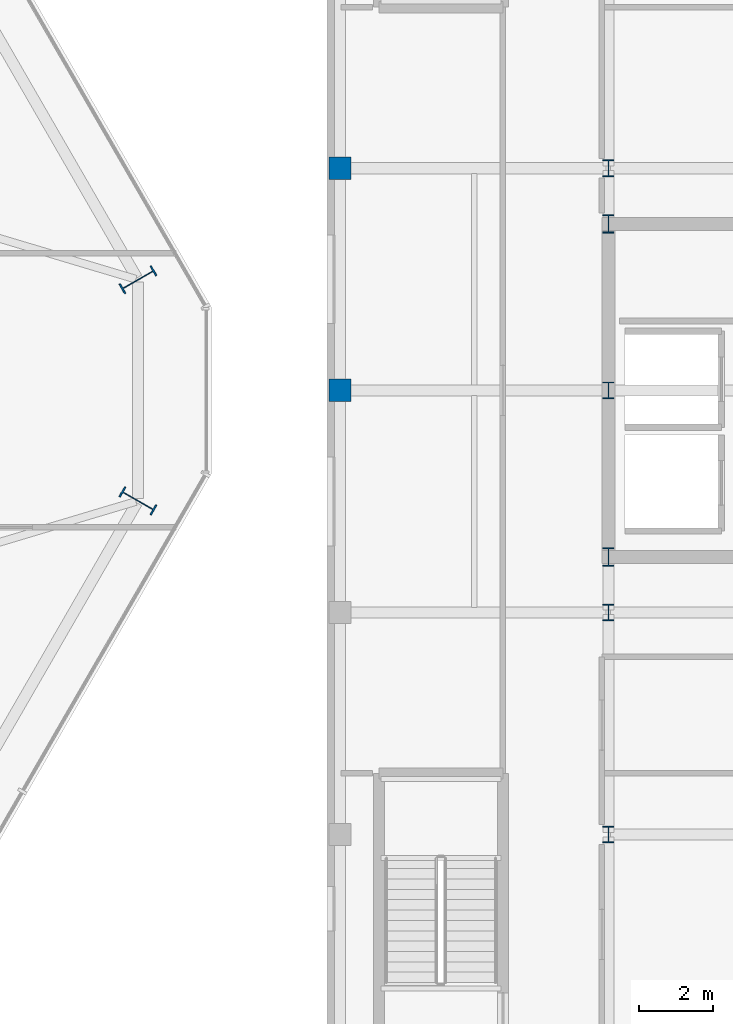
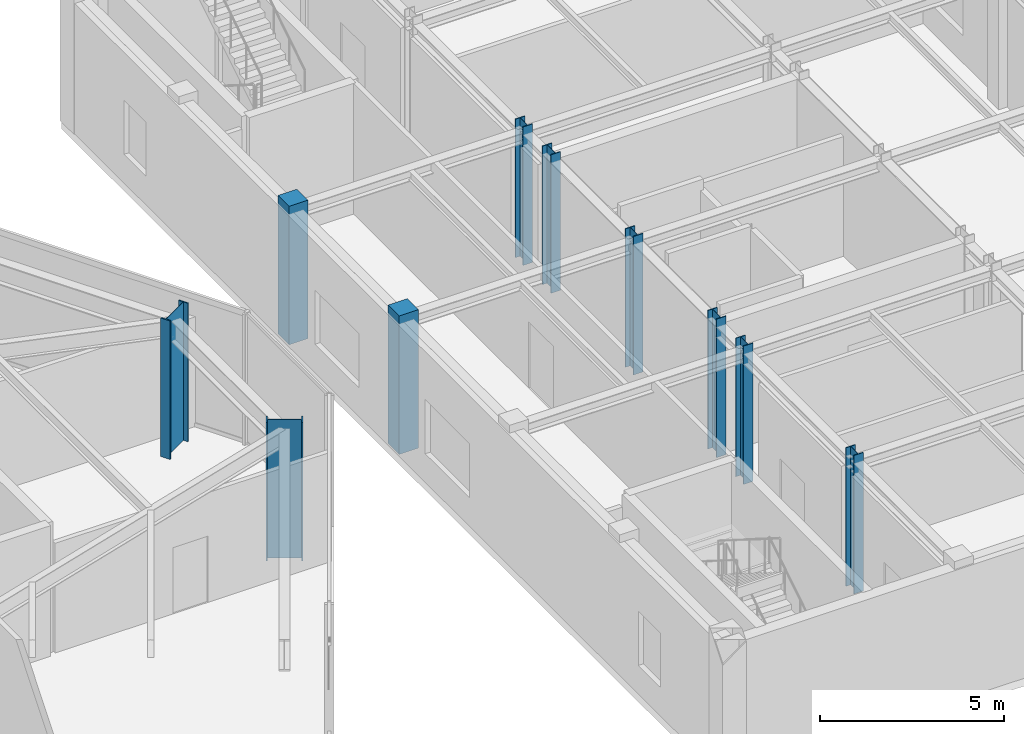
# One storey, part 2 of 22: 10 columns.
"""IFC4 building model written with IfcOpenShell, lengths in metres."""

from ifc_helpers import new_model, si_unit, direction, frame, origin, origin_2d, place, context, subcontext, project, spatial, rectangle, i_section, extrude, material, material_profile, profile_set, type_object, element, save


model = new_model("IFC4")

# Units and contexts
model_context = context("Model", 3, precision=1e-05, world=origin(), true_north=direction((0.0, 1.0)))
body_context = subcontext(model_context, "Body", "Model", "MODEL_VIEW")
ifc_project = project(units=[si_unit("LENGTHUNIT", "METRE"), si_unit("AREAUNIT", "SQUARE_METRE"), si_unit("VOLUMEUNIT", "CUBIC_METRE"), si_unit("PLANEANGLEUNIT", "RADIAN"), si_unit("MASSUNIT", "GRAM", prefix="KILO")], contexts=[model_context])

# Site, building, storey
site_placement = place(None, origin())
site = spatial("IfcSite", under=ifc_project, at=site_placement, CompositionType="ELEMENT")
building_placement = place(site_placement, origin())
building = spatial("IfcBuilding", under=site, at=building_placement, Name="Kranzbogen Civic Tower", CompositionType="ELEMENT")
storey_placement = place(building_placement, frame((0.0, 0.0, 5.199951171875)))
storey = spatial("IfcBuildingStorey", under=building, at=storey_placement, Name="L01", CompositionType="ELEMENT", Elevation=5.199951171875)

# Columns
ifc_material_1 = material(Name="Steel S355", Category="steel")
ifc_material_profile_1 = material_profile(ifc_material_1, i_section(OverallWidth=0.300048828125, OverallDepth=0.449951171875, WebThickness=0.013916015625, FlangeThickness=0.02587890625, at=origin_2d()), Name="HEB 450")
ifc_profile_set_1 = profile_set([ifc_material_profile_1], Name="Steel S355")
column_type_1 = type_object("IfcColumnType", Name="Structural Column HEB 450", PredefinedType="COLUMN", material=ifc_profile_set_1)
for number, where, z_axis, x_axis, name in (
    (1, (59.60009765625, 13.0, 0.0), (0.0, 0.0, 1.0), (1.0, 0.0, 0.0), "L01 Health Centre column 11/C"),
    (2, (59.60009765625, 19.0, 0.0), (0.0, 0.0, 1.0), (1.0, 0.0, 0.0), "L01 Health Centre column 11/D"),
    (3, (59.60009765625, 25.0, 0.0), (0.0, 0.0, 1.0), (1.0, 0.0, 0.0), "L01 Health Centre column 11/E"),
    (4, (59.60009765625, 31.0, 0.0), (0.0, 0.0, 1.0), (1.0, 0.0, 0.0), "L01 Health Centre column 11/F"),
):
    element("IfcColumn", number, at=place(storey_placement, frame(where, z_axis=z_axis, x_axis=x_axis)), inside=storey, type_object=column_type_1, Name=name, PredefinedType="COLUMN", context=body_context, shape_type="SweptSolid", body=[
        extrude(i_section(OverallWidth=0.300048828125, OverallDepth=0.449951171875, WebThickness=0.013916015625, FlangeThickness=0.02587890625, at=origin_2d()), origin(), (0.0, 0.0, 1.0), 4.60009765625),
    ])
ifc_material_profile_2 = material_profile(ifc_material_1, i_section(OverallWidth=0.300048828125, OverallDepth=0.5, WebThickness=0.014404296875, FlangeThickness=0.028076171875, at=origin_2d()), Name="HEB 500")
ifc_profile_set_2 = profile_set([ifc_material_profile_2], Name="Steel S355")
column_type_2 = type_object("IfcColumnType", Name="Structural Column HEB 500", PredefinedType="COLUMN", material=ifc_profile_set_2)
for number, where, z_axis, x_axis, name in (
    (5, (59.60009765625, 20.5, 0.0), (0.0, 0.0, 1.0), (1.0, 0.0, 0.0), "L01 Health Centre core corner column 1"),
    (6, (59.60009765625, 29.5, 0.0), (0.0, 0.0, 1.0), (1.0, 0.0, 0.0), "L01 Health Centre core corner column 4"),
):
    element("IfcColumn", number, at=place(storey_placement, frame(where, z_axis=z_axis, x_axis=x_axis)), inside=storey, type_object=column_type_2, Name=name, PredefinedType="COLUMN", context=body_context, shape_type="SweptSolid", body=[
        extrude(i_section(OverallWidth=0.300048828125, OverallDepth=0.5, WebThickness=0.014404296875, FlangeThickness=0.028076171875, at=origin_2d()), origin(), (0.0, 0.0, 1.0), 4.60009765625),
    ])
ifc_material_2 = material(Name="Steel S460", Category="steel")
ifc_material_profile_3 = material_profile(ifc_material_2, i_section(OverallWidth=0.302001953125, OverallDepth=1.008056640625, WebThickness=0.02099609375, FlangeThickness=0.0400390625, at=origin_2d()), Name="HEM 1000")
ifc_profile_set_3 = profile_set([ifc_material_profile_3], Name="Steel S460")
column_type_3 = type_object("IfcColumnType", Name="Structural Column HEM 1000", PredefinedType="COLUMN", material=ifc_profile_set_3)
for number, where, z_axis, x_axis, name in (
    (7, (46.889892578125, 27.986083984375, 0.0), (0.0, 0.0, 1.0), (-0.5, 0.866025403784, 0.0), "L01 tower perimeter tube column 01"),
    (8, (46.889892578125, 22.013916015625, 0.0), (0.0, 0.0, 1.0), (0.5, 0.866025403784, 0.0), "L01 tower perimeter tube column 12"),
):
    element("IfcColumn", number, at=place(storey_placement, frame(where, z_axis=z_axis, x_axis=x_axis)), inside=storey, type_object=column_type_3, Name=name, PredefinedType="COLUMN", context=body_context, shape_type="SweptSolid", body=[
        extrude(i_section(OverallWidth=0.302001953125, OverallDepth=1.008056640625, WebThickness=0.02099609375, FlangeThickness=0.0400390625, at=origin_2d()), origin(), (0.0, 0.0, 1.0), 4.60009765625),
    ])
ifc_material_3 = material(Name="Concrete C40/50", Category="concrete")
ifc_material_profile_4 = material_profile(ifc_material_3, rectangle(XDim=0.60009765625, YDim=0.60009765625, at=origin_2d()), Name="RC 600x600")
ifc_profile_set_4 = profile_set([ifc_material_profile_4], Name="Concrete C40/50")
column_type_4 = type_object("IfcColumnType", Name="Structural Column RC 600x600", PredefinedType="COLUMN", material=ifc_profile_set_4)
for number, where, z_axis, x_axis, name in (
    (9, (52.35009765625, 25.0, 0.0), (0.0, 0.0, 1.0), (1.0, 0.0, 0.0), "L01 Health Centre column 10/E"),
    (10, (52.35009765625, 31.0, 0.0), (0.0, 0.0, 1.0), (1.0, 0.0, 0.0), "L01 Health Centre column 10/F"),
):
    element("IfcColumn", number, at=place(storey_placement, frame(where, z_axis=z_axis, x_axis=x_axis)), inside=storey, type_object=column_type_4, Name=name, PredefinedType="COLUMN", context=body_context, shape_type="SweptSolid", body=[
        extrude(rectangle(XDim=0.60009765625, YDim=0.60009765625, at=origin_2d()), origin(), (0.0, 0.0, 1.0), 4.60009765625),
    ])

save(model, "model.ifc")
